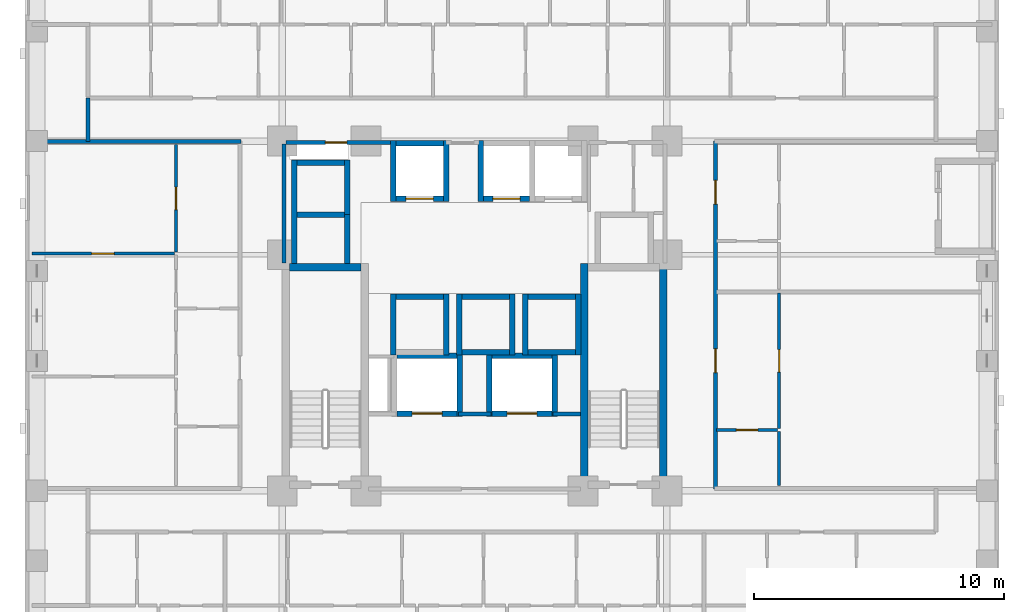
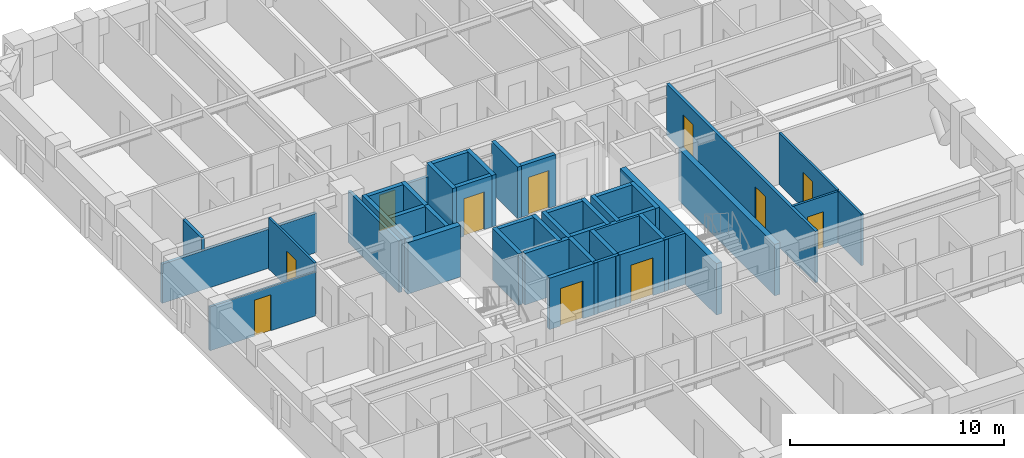
# One storey, part 5 of 14: 44 walls, 11 doors, 11 openings.
"""IFC4 building model written with IfcOpenShell, lengths in metres."""

from ifc_helpers import new_model, si_unit, derived_unit, direction, frame, frame_2d, origin, place, context, subcontext, project, spatial, rectangle, extrude, material, layer, layer_set, type_object, element, fill, save


model = new_model("IFC4")

# Units and contexts
model_context = context("Model", 3, precision=1e-05, world=origin(), true_north=direction((0.0, 1.0)))
body_context = subcontext(model_context, "Body", "Model", "MODEL_VIEW")
ifc_project = project(units=[si_unit("LENGTHUNIT", "METRE"), si_unit("AREAUNIT", "SQUARE_METRE"), si_unit("VOLUMEUNIT", "CUBIC_METRE"), si_unit("PLANEANGLEUNIT", "RADIAN"), si_unit("MASSUNIT", "GRAM", prefix="KILO"), derived_unit("THERMALTRANSMITTANCEUNIT", [(si_unit("MASSUNIT", "GRAM", prefix="KILO"), 1), (si_unit("TIMEUNIT", "SECOND"), -3), (si_unit("THERMODYNAMICTEMPERATUREUNIT", "KELVIN"), -1)])], contexts=[model_context])

# Site, building, storey
site_placement = place(None, origin())
site = spatial("IfcSite", under=ifc_project, at=site_placement, CompositionType="ELEMENT")
building_placement = place(site_placement, origin())
building = spatial("IfcBuilding", under=site, at=building_placement, Name="Korrvale Station Residences", CompositionType="ELEMENT")
storey_placement = place(building_placement, frame((0.0, 0.0, 51.39990234375)))
storey = spatial("IfcBuildingStorey", under=building, at=storey_placement, Name="L13", CompositionType="ELEMENT", Elevation=51.39990234375)

# Walls
ifc_material_1 = material(Name="Concrete C70/85", Category="concrete")
ifc_layer_1 = layer(ifc_material_1, 0.300048828125, Name="Concrete C70/85")
ifc_layer_set_1 = layer_set([ifc_layer_1], Name="Concrete C70/85")
wall_type_1 = type_object("IfcWallType", Name="WAL-CORE-300-C70", PredefinedType="SHEAR", material=ifc_layer_set_1)
wall_1_placement = place(storey_placement, frame((18.10009765625, 23.949951171875, 0.0), z_axis=(0.0, 0.0, 1.0), x_axis=(1.0, 0.0, 0.0)))
element("IfcWall", 1, at=wall_1_placement, inside=storey, type_object=wall_type_1, Name="L13 ST-1 Core Shear Wall North", PredefinedType="SHEAR", context=body_context, shape_type="SweptSolid", body=[
    extrude(rectangle(XDim=2.849853515625, YDim=0.300048828125, at=frame_2d((1.4248046875, 0.0))), origin(), (0.0, 0.0, 1.0), 2.940185546875),
])
for number, where, z_axis, x_axis, name in (
    (2, (29.89990234375, 15.10009765625, 0.0), (0.0, 0.0, 1.0), (0.0, 1.0, 0.0), "L13 ST-2 Core Shear Wall West"),
    (3, (33.050048828125, 15.10009765625, 0.0), (0.0, 0.0, 1.0), (0.0, 1.0, 0.0), "L13 ST-2 Core Shear Wall East"),
):
    element("IfcWall", number, at=place(storey_placement, frame(where, z_axis=z_axis, x_axis=x_axis)), inside=storey, type_object=wall_type_1, Name=name, PredefinedType="SHEAR", context=body_context, shape_type="SweptSolid", body=[
        extrude(rectangle(XDim=9.0, YDim=0.300048828125, at=frame_2d((4.5, 0.0))), origin(), (0.0, 0.0, 1.0), 2.940185546875),
    ])

# Wall, opening, door
ifc_material_2 = material(Name="Acoustic steel-stud gypsum board partition", Category="steel")
ifc_layer_2 = layer(ifc_material_2, 0.1201171875, Name="Acoustic steel-stud gypsum board partition")
ifc_layer_set_2 = layer_set([ifc_layer_2], Name="Acoustic steel-stud gypsum board partition")
wall_type_2 = type_object("IfcWallType", Name="WAL-PART-125", PredefinedType="PARTITIONING", material=ifc_layer_set_2)
wall_2_placement = place(storey_placement, frame((13.550048828125, 24.552001953125, 0.0), z_axis=(0.0, 0.0, 1.0), x_axis=(0.0, 1.0, 0.0)))
wall_2 = element("IfcWall", 4, at=wall_2_placement, inside=storey, type_object=wall_type_2, Name="L13 Suite Partition U06-V05", PredefinedType="PARTITIONING", context=body_context, shape_type="SweptSolid", body=[
    extrude(rectangle(XDim=4.30810546875, YDim=0.1201171875, at=frame_2d((2.154052734375, 0.0))), origin(), (0.0, 0.0, 1.0), 2.940185546875),
])
opening_1_placement = place(wall_2_placement, frame((1.7041015625, 0.0, 0.0)))
opening_1 = element("IfcOpeningElement", 5, at=opening_1_placement, cuts=wall_2, Name="Opening DI-900", PredefinedType="OPENING", context=body_context, shape_type="SweptSolid", body=[
    extrude(rectangle(XDim=0.89990234375, YDim=2.050048828125, at=frame_2d((0.449951171875, 1.02490234375))), frame((0.0, 0.070068359375, 0.0), z_axis=(0.0, -1.0, 0.0), x_axis=(1.0, 0.0, 0.0)), (0.0, 0.0, 1.0), 0.14013671875),
])
ifc_material_3 = material(Name="Painted solid-core timber interior room door", Category="wood")
door_type_1 = type_object("IfcDoorType", Name="DR-INT-900", OperationType="NOTDEFINED", PredefinedType="DOOR", material=ifc_material_3)
door_1_placement = place(opening_1_placement, origin())
door_1 = element("IfcDoor", 6, at=door_1_placement, inside=storey, type_object=door_type_1, Name="L13 Apartment 2BR L13-U06 Wardrobe Storage Room Door", OperationType="SINGLE_SWING_LEFT", OverallHeight=2.050048828125, OverallWidth=0.89990234375, PredefinedType="DOOR", context=body_context, shape_type="SweptSolid", body=[
    extrude(rectangle(XDim=0.89990234375, YDim=2.050048828125, at=frame_2d((0.449951171875, 1.02490234375))), frame((0.0, 0.02490234375, 0.0), z_axis=(0.0, -1.0, 0.0), x_axis=(1.0, 0.0, 0.0)), (0.0, 0.0, 1.0), 0.050048828125),
])
fill(opening_1, door_1)

wall_3_placement = place(storey_placement, frame((7.780029296875, 24.491943359375, 0.0), z_axis=(0.0, 0.0, 1.0), x_axis=(1.0, 0.0, 0.0)))
wall_3 = element("IfcWall", 7, at=wall_3_placement, inside=storey, type_object=wall_type_2, Name="L13 Suite Partition U06-H45", PredefinedType="PARTITIONING", context=body_context, shape_type="SweptSolid", body=[
    extrude(rectangle(XDim=5.7099609375, YDim=0.1201171875, at=frame_2d((2.85498046875, 0.0))), origin(), (0.0, 0.0, 1.0), 2.508056640625),
])
opening_2_placement = place(wall_3_placement, frame((2.389892578125, 0.0, 0.0)))
opening_2 = element("IfcOpeningElement", 8, at=opening_2_placement, cuts=wall_3, Name="Opening DI-900", PredefinedType="OPENING", context=body_context, shape_type="SweptSolid", body=[
    extrude(rectangle(XDim=0.89990234375, YDim=2.050048828125, at=frame_2d((0.449951171875, 1.02490234375))), frame((0.0, 0.070068359375, 0.0), z_axis=(0.0, -1.0, 0.0), x_axis=(1.0, 0.0, 0.0)), (0.0, 0.0, 1.0), 0.14013671875),
])
door_2_placement = place(opening_2_placement, origin())
door_2 = element("IfcDoor", 9, at=door_2_placement, inside=storey, type_object=door_type_1, Name="L13 Apartment 2BR L13-U06 Living and Dining Room Door", OperationType="SINGLE_SWING_RIGHT", OverallHeight=2.050048828125, OverallWidth=0.89990234375, PredefinedType="DOOR", context=body_context, shape_type="SweptSolid", body=[
    extrude(rectangle(XDim=0.89990234375, YDim=2.050048828125, at=frame_2d((0.449951171875, 1.02490234375))), frame((0.0, 0.02490234375, 0.0), z_axis=(0.0, -1.0, 0.0), x_axis=(1.0, 0.0, 0.0)), (0.0, 0.0, 1.0), 0.050048828125),
])
fill(opening_2, door_2)

wall_4_placement = place(storey_placement, frame((35.18994140625, 17.428955078125, 0.0), z_axis=(0.0, 0.0, 1.0), x_axis=(1.0, 0.0, 0.0)))
wall_4 = element("IfcWall", 10, at=wall_4_placement, inside=storey, type_object=wall_type_2, Name="L13 Suite Partition U07-H01", PredefinedType="PARTITIONING", context=body_context, shape_type="SweptSolid", body=[
    extrude(rectangle(XDim=2.449951171875, YDim=0.1201171875, at=frame_2d((1.22509765625, 0.0))), origin(), (0.0, 0.0, 1.0), 2.940185546875),
])
opening_3_placement = place(wall_4_placement, frame((0.794921875, 0.0, 0.0)))
opening_3 = element("IfcOpeningElement", 11, at=opening_3_placement, cuts=wall_4, Name="Opening DB-860", PredefinedType="OPENING", context=body_context, shape_type="SweptSolid", body=[
    extrude(rectangle(XDim=0.860107421875, YDim=2.050048828125, at=frame_2d((0.43017578125, 1.02490234375))), frame((0.0, 0.070068359375, 0.0), z_axis=(0.0, -1.0, 0.0), x_axis=(1.0, 0.0, 0.0)), (0.0, 0.0, 1.0), 0.14013671875),
])
ifc_material_4 = material(Name="Moisture-resistant solid-core bathroom door", Category="timber")
door_type_2 = type_object("IfcDoorType", Name="DR-BATH-860", OperationType="NOTDEFINED", PredefinedType="DOOR", material=ifc_material_4)
door_3_placement = place(opening_3_placement, origin())
door_3 = element("IfcDoor", 12, at=door_3_placement, inside=storey, type_object=door_type_2, Name="L13 Studio Apartment L13-U07 Bathroom Door", OperationType="SINGLE_SWING_LEFT", OverallHeight=2.050048828125, OverallWidth=0.860107421875, PredefinedType="DOOR", context=body_context, shape_type="SweptSolid", body=[
    extrude(rectangle(XDim=0.860107421875, YDim=2.050048828125, at=frame_2d((0.43017578125, 1.02490234375))), frame((0.0, 0.02490234375, 0.0), z_axis=(0.0, -1.0, 0.0), x_axis=(1.0, 0.0, 0.0)), (0.0, 0.0, 1.0), 0.050048828125),
])
fill(opening_3, door_3)

# Wall
wall_5_placement = place(storey_placement, frame((37.699951171875, 15.2099609375, 0.0), z_axis=(0.0, 0.0, 1.0), x_axis=(0.0, 1.0, 0.0)))
element("IfcWall", 13, at=wall_5_placement, inside=storey, type_object=wall_type_2, Name="L13 Suite Partition U07-V02", PredefinedType="PARTITIONING", context=body_context, shape_type="SweptSolid", body=[
    extrude(rectangle(XDim=2.158935546875, YDim=0.1201171875, at=frame_2d((1.07958984375, 0.0))), origin(), (0.0, 0.0, 1.0), 2.940185546875),
])

# Wall, opening, door
wall_6_placement = place(storey_placement, frame((37.699951171875, 17.489013671875, 0.0), z_axis=(0.0, 0.0, 1.0), x_axis=(0.0, 1.0, 0.0)))
wall_6 = element("IfcWall", 14, at=wall_6_placement, inside=storey, type_object=wall_type_2, Name="L13 Suite Partition U07-V12", PredefinedType="PARTITIONING", context=body_context, shape_type="SweptSolid", body=[
    extrude(rectangle(XDim=5.43310546875, YDim=0.1201171875, at=frame_2d((2.716552734375, 0.0))), origin(), (0.0, 0.0, 1.0), 2.940185546875),
])
opening_4_placement = place(wall_6_placement, frame((2.26611328125, 0.0, 0.0)))
opening_4 = element("IfcOpeningElement", 15, at=opening_4_placement, cuts=wall_6, Name="Opening DI-900", PredefinedType="OPENING", context=body_context, shape_type="SweptSolid", body=[
    extrude(rectangle(XDim=0.89990234375, YDim=2.050048828125, at=frame_2d((0.449951171875, 1.02490234375))), frame((0.0, 0.070068359375, 0.0), z_axis=(0.0, -1.0, 0.0), x_axis=(1.0, 0.0, 0.0)), (0.0, 0.0, 1.0), 0.14013671875),
])
door_4_placement = place(opening_4_placement, origin())
door_4 = element("IfcDoor", 16, at=door_4_placement, inside=storey, type_object=door_type_1, Name="L13 Studio Apartment L13-U07 Kitchen Door", OperationType="SINGLE_SWING_RIGHT", OverallHeight=2.050048828125, OverallWidth=0.89990234375, PredefinedType="DOOR", context=body_context, shape_type="SweptSolid", body=[
    extrude(rectangle(XDim=0.89990234375, YDim=2.050048828125, at=frame_2d((0.449951171875, 1.02490234375))), frame((0.0, 0.02490234375, 0.0), z_axis=(0.0, -1.0, 0.0), x_axis=(1.0, 0.0, 0.0)), (0.0, 0.0, 1.0), 0.050048828125),
])
fill(opening_4, door_4)

# Walls
ifc_material_5 = material(Name="Fire-rated twin-stud gypsum and mineral wool shaftwall assembly", Category="gypsum")
ifc_layer_3 = layer(ifc_material_5, 0.159912109375, Name="Fire-rated twin-stud gypsum and mineral wool shaftwall assembly")
ifc_layer_set_3 = layer_set([ifc_layer_3], Name="Fire-rated twin-stud gypsum and mineral wool shaftwall assembly")
wall_type_3 = type_object("IfcWallType", Name="WAL-PART-200", PredefinedType="PARTITIONING", material=ifc_layer_set_3)
wall_7_placement = place(storey_placement, frame((24.85009765625, 18.080078125, 0.0), z_axis=(0.0, 0.0, 1.0), x_axis=(1.0, 0.0, 0.0)))
element("IfcWall", 17, at=wall_7_placement, inside=storey, type_object=wall_type_3, Name="L13 Core Partition CW-FFL-N2", PredefinedType="PARTITIONING", context=body_context, shape_type="SweptSolid", body=[
    extrude(rectangle(XDim=1.2998046875, YDim=0.159912109375, at=frame_2d((0.64990234375, 0.0))), origin(), (0.0, 0.0, 1.0), 2.940185546875),
])
wall_8_placement = place(storey_placement, frame((28.64990234375, 18.080078125, 0.0), z_axis=(0.0, 0.0, 1.0), x_axis=(1.0, 0.0, 0.0)))
element("IfcWall", 18, at=wall_8_placement, inside=storey, type_object=wall_type_3, Name="L13 Core Partition CW-FFL-N3", PredefinedType="PARTITIONING", context=body_context, shape_type="SweptSolid", body=[
    extrude(rectangle(XDim=1.10009765625, YDim=0.159912109375, at=frame_2d((0.550048828125, 0.0))), origin(), (0.0, 0.0, 1.0), 2.940185546875),
])
wall_9_placement = place(storey_placement, frame((17.8798828125, 24.1201171875, 0.0), z_axis=(0.0, 0.0, 1.0), x_axis=(0.0, 1.0, 0.0)))
element("IfcWall", 19, at=wall_9_placement, inside=storey, type_object=wall_type_3, Name="L13 Core Partition CW-W-N", PredefinedType="PARTITIONING", context=body_context, shape_type="SweptSolid", body=[
    extrude(rectangle(XDim=4.759765625, YDim=0.159912109375, at=frame_2d((2.3798828125, 0.0))), origin(), (0.0, 0.0, 1.0), 2.940185546875),
])

# Wall, opening, door
wall_10_placement = place(storey_placement, frame((17.9599609375, 28.949951171875, 0.0), z_axis=(0.0, 0.0, 1.0), x_axis=(1.0, 0.0, 0.0)))
wall_10 = element("IfcWall", 20, at=wall_10_placement, inside=storey, type_object=wall_type_3, Name="L13 Core Partition CW-NW", PredefinedType="PARTITIONING", context=body_context, shape_type="SweptSolid", body=[
    extrude(rectangle(XDim=4.2900390625, YDim=0.159912109375, at=frame_2d((2.14501953125, 0.0))), origin(), (0.0, 0.0, 1.0), 2.232177734375),
])
opening_5_placement = place(wall_10_placement, frame((1.570068359375, 0.0, 0.0)))
opening_5 = element("IfcOpeningElement", 21, at=opening_5_placement, cuts=wall_10, Name="Opening DB-860", PredefinedType="OPENING", context=body_context, shape_type="SweptSolid", body=[
    extrude(rectangle(XDim=0.860107421875, YDim=2.050048828125, at=frame_2d((0.43017578125, 1.02490234375))), frame((0.0, 0.08984375, 0.0), z_axis=(0.0, -1.0, 0.0), x_axis=(1.0, 0.0, 0.0)), (0.0, 0.0, 1.0), 0.179931640625),
])
door_5_placement = place(opening_5_placement, origin())
door_5 = element("IfcDoor", 22, at=door_5_placement, inside=storey, type_object=door_type_2, Name="L13 Electrical Riser Access Door", OperationType="SINGLE_SWING_RIGHT", OverallHeight=2.050048828125, OverallWidth=0.860107421875, PredefinedType="DOOR", context=body_context, shape_type="SweptSolid", body=[
    extrude(rectangle(XDim=0.860107421875, YDim=2.050048828125, at=frame_2d((0.43017578125, 1.02490234375))), frame((0.0, 0.02490234375, 0.0), z_axis=(0.0, -1.0, 0.0), x_axis=(1.0, 0.0, 0.0)), (0.0, 0.0, 1.0), 0.050048828125),
])
fill(opening_5, door_5)

# Walls
wall_11_placement = place(storey_placement, frame((10.02001953125, 28.97998046875, 0.0), z_axis=(0.0, 0.0, 1.0), x_axis=(0.0, 1.0, 0.0)))
element("IfcWall", 23, at=wall_11_placement, inside=storey, type_object=wall_type_3, Name="L13 Corridor North West Cap", PredefinedType="PARTITIONING", context=body_context, shape_type="SweptSolid", body=[
    extrude(rectangle(XDim=1.739990234375, YDim=0.159912109375, at=frame_2d((0.8701171875, 0.0))), origin(), (0.0, 0.0, 1.0), 2.940185546875),
])
wall_12_placement = place(storey_placement, frame((7.780029296875, 28.97998046875, 0.0), z_axis=(0.0, 0.0, 1.0), x_axis=(1.0, 0.0, 0.0)))
element("IfcWall", 24, at=wall_12_placement, inside=storey, type_object=wall_type_3, Name="L13 West Wing North Corridor Wall", PredefinedType="PARTITIONING", context=body_context, shape_type="SweptSolid", body=[
    extrude(rectangle(XDim=8.35986328125, YDim=0.159912109375, at=frame_2d((4.179931640625, 0.0))), origin(), (0.0, 0.0, 1.0), 2.232177734375),
])

# Wall, openings, doors
wall_13_placement = place(storey_placement, frame((35.14990234375, 15.070068359375, 0.0), z_axis=(0.0, 0.0, 1.0), x_axis=(0.0, 1.0, 0.0)))
wall_13 = element("IfcWall", 25, at=wall_13_placement, inside=storey, type_object=wall_type_3, Name="L13 Rated Corridor Wall E", PredefinedType="PARTITIONING", context=body_context, shape_type="SweptSolid", body=[
    extrude(rectangle(XDim=13.929931640625, YDim=0.159912109375, at=frame_2d((6.96484375, 0.0))), origin(), (0.0, 0.0, 1.0), 2.940185546875),
])
opening_6_placement = place(wall_13_placement, frame((4.660888671875, 0.0, 0.0)))
opening_6 = element("IfcOpeningElement", 26, at=opening_6_placement, cuts=wall_13, Name="Opening UD-950", PredefinedType="OPENING", context=body_context, shape_type="SweptSolid", body=[
    extrude(rectangle(XDim=0.949951171875, YDim=2.10009765625, at=frame_2d((0.47509765625, 1.050048828125))), frame((0.0, 0.08984375, 0.0), z_axis=(0.0, -1.0, 0.0), x_axis=(1.0, 0.0, 0.0)), (0.0, 0.0, 1.0), 0.179931640625),
])
opening_7_placement = place(wall_13_placement, frame((11.410888671875, 0.0, 0.0)))
opening_7 = element("IfcOpeningElement", 27, at=opening_7_placement, cuts=wall_13, Name="Opening UD-950", PredefinedType="OPENING", context=body_context, shape_type="SweptSolid", body=[
    extrude(rectangle(XDim=0.949951171875, YDim=2.10009765625, at=frame_2d((0.47509765625, 1.050048828125))), frame((0.0, 0.08984375, 0.0), z_axis=(0.0, -1.0, 0.0), x_axis=(1.0, 0.0, 0.0)), (0.0, 0.0, 1.0), 0.179931640625),
])
ifc_material_6 = material(Name="Solid-core acoustic oak apartment entrance door", Category="timber")
door_type_3 = type_object("IfcDoorType", Name="DR-UNIT-950", OperationType="NOTDEFINED", PredefinedType="DOOR", material=ifc_material_6)
door_6_placement = place(opening_6_placement, origin())
door_6 = element("IfcDoor", 28, at=door_6_placement, inside=storey, type_object=door_type_3, Name="L13 Apartment L13-U07 Entrance Door", OperationType="SINGLE_SWING_LEFT", OverallHeight=2.10009765625, OverallWidth=0.949951171875, PredefinedType="DOOR", context=body_context, shape_type="SweptSolid", body=[
    extrude(rectangle(XDim=0.949951171875, YDim=2.10009765625, at=frame_2d((0.47509765625, 1.050048828125))), frame((0.0, 0.02490234375, 0.0), z_axis=(0.0, -1.0, 0.0), x_axis=(1.0, 0.0, 0.0)), (0.0, 0.0, 1.0), 0.050048828125),
])
fill(opening_6, door_6)
door_7_placement = place(opening_7_placement, origin())
door_7 = element("IfcDoor", 29, at=door_7_placement, inside=storey, type_object=door_type_3, Name="L13 Apartment L13-U08 Entrance Door", OperationType="SINGLE_SWING_RIGHT", OverallHeight=2.10009765625, OverallWidth=0.949951171875, PredefinedType="DOOR", context=body_context, shape_type="SweptSolid", body=[
    extrude(rectangle(XDim=0.949951171875, YDim=2.10009765625, at=frame_2d((0.47509765625, 1.050048828125))), frame((0.0, 0.02490234375, 0.0), z_axis=(0.0, -1.0, 0.0), x_axis=(1.0, 0.0, 0.0)), (0.0, 0.0, 1.0), 0.050048828125),
])
fill(opening_7, door_7)

# Wall, opening, door
ifc_layer_4 = layer(ifc_material_1, 0.219970703125, Name="Concrete C70/85")
ifc_layer_set_4 = layer_set([ifc_layer_4], Name="Concrete C70/85")
wall_type_4 = type_object("IfcWallType", Name="WAL-SHAFT-220-C70", PredefinedType="SHEAR", material=ifc_layer_set_4)
wall_14_placement = place(storey_placement, frame((22.35009765625, 26.68994140625, 0.0), z_axis=(0.0, 0.0, 1.0), x_axis=(1.0, 0.0, 0.0)))
wall_14 = element("IfcWall", 30, at=wall_14_placement, inside=storey, type_object=wall_type_4, Name="L13 Elevator PL-1 Hoistway Wall South", PredefinedType="SHEAR", context=body_context, shape_type="SweptSolid", body=[
    extrude(rectangle(XDim=1.89990234375, YDim=0.219970703125, at=frame_2d((0.949951171875, 0.0))), origin(), (0.0, 0.0, 1.0), 2.940185546875),
])
opening_8_placement = place(wall_14_placement, frame((0.39990234375, 0.0, 0.0)))
opening_8 = element("IfcOpeningElement", 31, at=opening_8_placement, cuts=wall_14, Name="Opening LD-1100", PredefinedType="OPENING", context=body_context, shape_type="SweptSolid", body=[
    extrude(rectangle(XDim=1.10009765625, YDim=2.14990234375, at=frame_2d((0.550048828125, 1.074951171875))), frame((0.0, 0.1201171875, 0.0), z_axis=(0.0, -1.0, 0.0), x_axis=(1.0, 0.0, 0.0)), (0.0, 0.0, 1.0), 0.239990234375),
])
ifc_material_7 = material(Name="Brushed stainless-steel elevator landing sliding door", Category="steel")
door_type_4 = type_object("IfcDoorType", Name="DR-LIFT-1100", OperationType="SLIDING_TO_LEFT", PredefinedType="DOOR", material=ifc_material_7)
door_8_placement = place(opening_8_placement, origin())
door_8 = element("IfcDoor", 32, at=door_8_placement, inside=storey, type_object=door_type_4, Name="L13 Elevator PL-1 Sliding Landing Door", OperationType="SLIDING_TO_LEFT", OverallHeight=2.14990234375, OverallWidth=1.10009765625, PredefinedType="DOOR", context=body_context, shape_type="SweptSolid", body=[
    extrude(rectangle(XDim=1.10009765625, YDim=2.14990234375, at=frame_2d((0.550048828125, 1.074951171875))), frame((0.0, 0.02490234375, 0.0), z_axis=(0.0, -1.0, 0.0), x_axis=(1.0, 0.0, 0.0)), (0.0, 0.0, 1.0), 0.050048828125),
])
fill(opening_8, door_8)

# Walls
wall_15_placement = place(storey_placement, frame((22.35009765625, 28.909912109375, 0.0), z_axis=(0.0, 0.0, 1.0), x_axis=(1.0, 0.0, 0.0)))
element("IfcWall", 33, at=wall_15_placement, inside=storey, type_object=wall_type_4, Name="L13 Elevator PL-1 Hoistway Wall North", PredefinedType="SHEAR", context=body_context, shape_type="SweptSolid", body=[
    extrude(rectangle(XDim=1.89990234375, YDim=0.219970703125, at=frame_2d((0.949951171875, 0.0))), origin(), (0.0, 0.0, 1.0), 2.940185546875),
])
for number, where, z_axis, x_axis, name in (
    (34, (22.239990234375, 26.580078125, 0.0), (0.0, 0.0, 1.0), (0.0, 1.0, 0.0), "L13 Elevator PL-1 Hoistway Wall West"),
    (35, (24.360107421875, 26.580078125, 0.0), (0.0, 0.0, 1.0), (0.0, 1.0, 0.0), "L13 Elevator PL-1 Hoistway Wall East"),
):
    element("IfcWall", number, at=place(storey_placement, frame(where, z_axis=z_axis, x_axis=x_axis)), inside=storey, type_object=wall_type_4, Name=name, PredefinedType="SHEAR", context=body_context, shape_type="SweptSolid", body=[
        extrude(rectangle(XDim=2.43994140625, YDim=0.219970703125, at=frame_2d((1.219970703125, 0.0))), origin(), (0.0, 0.0, 1.0), 2.940185546875),
    ])

# Wall, opening, door
wall_16_placement = place(storey_placement, frame((25.85009765625, 26.68994140625, 0.0), z_axis=(0.0, 0.0, 1.0), x_axis=(1.0, 0.0, 0.0)))
wall_16 = element("IfcWall", 36, at=wall_16_placement, inside=storey, type_object=wall_type_4, Name="L13 Elevator PL-2 Hoistway Wall South", PredefinedType="SHEAR", context=body_context, shape_type="SweptSolid", body=[
    extrude(rectangle(XDim=1.85986328125, YDim=0.219970703125, at=frame_2d((0.929931640625, 0.0))), origin(), (0.0, 0.0, 1.0), 2.940185546875),
])
opening_9_placement = place(wall_16_placement, frame((0.3798828125, 0.0, 0.0)))
opening_9 = element("IfcOpeningElement", 37, at=opening_9_placement, cuts=wall_16, Name="Opening LD-1100", PredefinedType="OPENING", context=body_context, shape_type="SweptSolid", body=[
    extrude(rectangle(XDim=1.10009765625, YDim=2.14990234375, at=frame_2d((0.550048828125, 1.074951171875))), frame((0.0, 0.1201171875, 0.0), z_axis=(0.0, -1.0, 0.0), x_axis=(1.0, 0.0, 0.0)), (0.0, 0.0, 1.0), 0.239990234375),
])
door_9_placement = place(opening_9_placement, origin())
door_9 = element("IfcDoor", 38, at=door_9_placement, inside=storey, type_object=door_type_4, Name="L13 Elevator PL-2 Sliding Landing Door", OperationType="SLIDING_TO_LEFT", OverallHeight=2.14990234375, OverallWidth=1.10009765625, PredefinedType="DOOR", context=body_context, shape_type="SweptSolid", body=[
    extrude(rectangle(XDim=1.10009765625, YDim=2.14990234375, at=frame_2d((0.550048828125, 1.074951171875))), frame((0.0, 0.02490234375, 0.0), z_axis=(0.0, -1.0, 0.0), x_axis=(1.0, 0.0, 0.0)), (0.0, 0.0, 1.0), 0.050048828125),
])
fill(opening_9, door_9)

# Walls
wall_17_placement = place(storey_placement, frame((25.739990234375, 26.580078125, 0.0), z_axis=(0.0, 0.0, 1.0), x_axis=(0.0, 1.0, 0.0)))
element("IfcWall", 39, at=wall_17_placement, inside=storey, type_object=wall_type_4, Name="L13 Elevator PL-2 Hoistway Wall West", PredefinedType="SHEAR", context=body_context, shape_type="SweptSolid", body=[
    extrude(rectangle(XDim=2.43994140625, YDim=0.219970703125, at=frame_2d((1.219970703125, 0.0))), origin(), (0.0, 0.0, 1.0), 2.940185546875),
])
wall_18_placement = place(storey_placement, frame((22.35009765625, 22.760009765625, 0.0), z_axis=(0.0, 0.0, 1.0), x_axis=(1.0, 0.0, 0.0)))
element("IfcWall", 40, at=wall_18_placement, inside=storey, type_object=wall_type_4, Name="L13 Elevator PM-1 Hoistway Wall North", PredefinedType="SHEAR", context=body_context, shape_type="SweptSolid", body=[
    extrude(rectangle(XDim=1.89990234375, YDim=0.219970703125, at=frame_2d((0.949951171875, 0.0))), origin(), (0.0, 0.0, 1.0), 2.940185546875),
])
for number, where, z_axis, x_axis, name in (
    (41, (22.239990234375, 20.429931640625, 0.0), (0.0, 0.0, 1.0), (0.0, 1.0, 0.0), "L13 Elevator PM-1 Hoistway Wall West"),
    (42, (24.360107421875, 20.429931640625, 0.0), (0.0, 0.0, 1.0), (0.0, 1.0, 0.0), "L13 Elevator PM-1 Hoistway Wall East"),
):
    element("IfcWall", number, at=place(storey_placement, frame(where, z_axis=z_axis, x_axis=x_axis)), inside=storey, type_object=wall_type_4, Name=name, PredefinedType="SHEAR", context=body_context, shape_type="SweptSolid", body=[
        extrude(rectangle(XDim=2.440185546875, YDim=0.219970703125, at=frame_2d((1.22021484375, 0.0))), origin(), (0.0, 0.0, 1.0), 2.940185546875),
    ])
for number, where, z_axis, x_axis, name in (
    (43, (25.0, 20.5400390625, 0.0), (0.0, 0.0, 1.0), (1.0, 0.0, 0.0), "L13 Elevator PM-2 Hoistway Wall South"),
    (44, (25.0, 22.760009765625, 0.0), (0.0, 0.0, 1.0), (1.0, 0.0, 0.0), "L13 Elevator PM-2 Hoistway Wall North"),
):
    element("IfcWall", number, at=place(storey_placement, frame(where, z_axis=z_axis, x_axis=x_axis)), inside=storey, type_object=wall_type_4, Name=name, PredefinedType="SHEAR", context=body_context, shape_type="SweptSolid", body=[
        extrude(rectangle(XDim=1.89990234375, YDim=0.219970703125, at=frame_2d((0.949951171875, 0.0))), origin(), (0.0, 0.0, 1.0), 2.940185546875),
    ])
for number, where, z_axis, x_axis, name in (
    (45, (24.889892578125, 20.429931640625, 0.0), (0.0, 0.0, 1.0), (0.0, 1.0, 0.0), "L13 Elevator PM-2 Hoistway Wall West"),
    (46, (27.010009765625, 20.429931640625, 0.0), (0.0, 0.0, 1.0), (0.0, 1.0, 0.0), "L13 Elevator PM-2 Hoistway Wall East"),
):
    element("IfcWall", number, at=place(storey_placement, frame(where, z_axis=z_axis, x_axis=x_axis)), inside=storey, type_object=wall_type_4, Name=name, PredefinedType="SHEAR", context=body_context, shape_type="SweptSolid", body=[
        extrude(rectangle(XDim=2.440185546875, YDim=0.219970703125, at=frame_2d((1.22021484375, 0.0))), origin(), (0.0, 0.0, 1.0), 2.940185546875),
    ])
for number, where, z_axis, x_axis, name in (
    (47, (27.64990234375, 20.5400390625, 0.0), (0.0, 0.0, 1.0), (1.0, 0.0, 0.0), "L13 Elevator PM-3 Hoistway Wall South"),
    (48, (27.64990234375, 22.760009765625, 0.0), (0.0, 0.0, 1.0), (1.0, 0.0, 0.0), "L13 Elevator PM-3 Hoistway Wall North"),
):
    element("IfcWall", number, at=place(storey_placement, frame(where, z_axis=z_axis, x_axis=x_axis)), inside=storey, type_object=wall_type_4, Name=name, PredefinedType="SHEAR", context=body_context, shape_type="SweptSolid", body=[
        extrude(rectangle(XDim=1.900146484375, YDim=0.219970703125, at=frame_2d((0.9501953125, 0.0))), origin(), (0.0, 0.0, 1.0), 2.940185546875),
    ])
for number, where, z_axis, x_axis, name in (
    (49, (27.5400390625, 20.429931640625, 0.0), (0.0, 0.0, 1.0), (0.0, 1.0, 0.0), "L13 Elevator PM-3 Hoistway Wall West"),
    (50, (29.659912109375, 20.429931640625, 0.0), (0.0, 0.0, 1.0), (0.0, 1.0, 0.0), "L13 Elevator PM-3 Hoistway Wall East"),
):
    element("IfcWall", number, at=place(storey_placement, frame(where, z_axis=z_axis, x_axis=x_axis)), inside=storey, type_object=wall_type_4, Name=name, PredefinedType="SHEAR", context=body_context, shape_type="SweptSolid", body=[
        extrude(rectangle(XDim=2.440185546875, YDim=0.219970703125, at=frame_2d((1.22021484375, 0.0))), origin(), (0.0, 0.0, 1.0), 2.940185546875),
    ])
wall_19_placement = place(storey_placement, frame((18.2900390625, 24.10009765625, 0.0), z_axis=(0.0, 0.0, 1.0), x_axis=(0.0, 1.0, 0.0)))
element("IfcWall", 51, at=wall_19_placement, inside=storey, type_object=wall_type_4, Name="L13 Elevator PH-1 Hoistway Wall West", PredefinedType="SHEAR", context=body_context, shape_type="SweptSolid", body=[
    extrude(rectangle(XDim=4.139892578125, YDim=0.219970703125, at=frame_2d((2.06982421875, 0.0))), origin(), (0.0, 0.0, 1.0), 2.940185546875),
])
wall_20_placement = place(storey_placement, frame((20.409912109375, 24.10009765625, 0.0), z_axis=(0.0, 0.0, 1.0), x_axis=(0.0, 1.0, 0.0)))
element("IfcWall", 52, at=wall_20_placement, inside=storey, type_object=wall_type_4, Name="L13 Elevator PH-1 Hoistway Wall East", PredefinedType="SHEAR", context=body_context, shape_type="SweptSolid", body=[
    extrude(rectangle(XDim=1.9599609375, YDim=0.219970703125, at=frame_2d((0.97998046875, 0.0))), origin(), (0.0, 0.0, 1.0), 2.940185546875),
])
for number, where, z_axis, x_axis, name in (
    (53, (18.39990234375, 26.06005859375, 0.0), (0.0, 0.0, 1.0), (1.0, 0.0, 0.0), "L13 Elevator PH-2 Hoistway Wall South"),
    (54, (18.39990234375, 28.1298828125, 0.0), (0.0, 0.0, 1.0), (1.0, 0.0, 0.0), "L13 Elevator PH-2 Hoistway Wall North"),
):
    element("IfcWall", number, at=place(storey_placement, frame(where, z_axis=z_axis, x_axis=x_axis)), inside=storey, type_object=wall_type_4, Name=name, PredefinedType="SHEAR", context=body_context, shape_type="SweptSolid", body=[
        extrude(rectangle(XDim=1.900146484375, YDim=0.219970703125, at=frame_2d((0.9501953125, 0.0))), origin(), (0.0, 0.0, 1.0), 2.940185546875),
    ])
wall_21_placement = place(storey_placement, frame((20.409912109375, 26.06005859375, 0.0), z_axis=(0.0, 0.0, 1.0), x_axis=(0.0, 1.0, 0.0)))
element("IfcWall", 55, at=wall_21_placement, inside=storey, type_object=wall_type_4, Name="L13 Elevator PH-2 Hoistway Wall East", PredefinedType="SHEAR", context=body_context, shape_type="SweptSolid", body=[
    extrude(rectangle(XDim=2.179931640625, YDim=0.219970703125, at=frame_2d((1.08984375, 0.0))), origin(), (0.0, 0.0, 1.0), 2.940185546875),
])

# Wall, opening, door
wall_22_placement = place(storey_placement, frame((22.39990234375, 18.090087890625, 0.0), z_axis=(0.0, 0.0, 1.0), x_axis=(1.0, 0.0, 0.0)))
wall_22 = element("IfcWall", 56, at=wall_22_placement, inside=storey, type_object=wall_type_4, Name="L13 Elevator FFL-1 Hoistway Wall South", PredefinedType="SHEAR", context=body_context, shape_type="SweptSolid", body=[
    extrude(rectangle(XDim=2.400146484375, YDim=0.219970703125, at=frame_2d((1.2001953125, 0.0))), origin(), (0.0, 0.0, 1.0), 2.940185546875),
])
opening_10_placement = place(wall_22_placement, frame((0.60009765625, 0.0, 0.0)))
opening_10 = element("IfcOpeningElement", 57, at=opening_10_placement, cuts=wall_22, Name="Opening LD-FF1200", PredefinedType="OPENING", context=body_context, shape_type="SweptSolid", body=[
    extrude(rectangle(XDim=1.199951171875, YDim=2.14990234375, at=frame_2d((0.60009765625, 1.074951171875))), frame((0.0, 0.1201171875, 0.0), z_axis=(0.0, -1.0, 0.0), x_axis=(1.0, 0.0, 0.0)), (0.0, 0.0, 1.0), 0.239990234375),
])
ifc_material_8 = material(Name="Stainless-steel firefighter elevator landing sliding door", Category="steel")
door_type_5 = type_object("IfcDoorType", Name="DR-LIFT-FF1200", OperationType="SLIDING_TO_LEFT", PredefinedType="DOOR", material=ifc_material_8)
door_10_placement = place(opening_10_placement, origin())
door_10 = element("IfcDoor", 58, at=door_10_placement, inside=storey, type_object=door_type_5, Name="L13 Elevator FFL-1 Sliding Landing Door", OperationType="SLIDING_TO_LEFT", OverallHeight=2.14990234375, OverallWidth=1.199951171875, PredefinedType="DOOR", context=body_context, shape_type="SweptSolid", body=[
    extrude(rectangle(XDim=1.199951171875, YDim=2.14990234375, at=frame_2d((0.60009765625, 1.074951171875))), frame((0.0, 0.02490234375, 0.0), z_axis=(0.0, -1.0, 0.0), x_axis=(1.0, 0.0, 0.0)), (0.0, 0.0, 1.0), 0.050048828125),
])
fill(opening_10, door_10)

# Walls
wall_23_placement = place(storey_placement, frame((22.39990234375, 20.409912109375, 0.0), z_axis=(0.0, 0.0, 1.0), x_axis=(1.0, 0.0, 0.0)))
element("IfcWall", 59, at=wall_23_placement, inside=storey, type_object=wall_type_4, Name="L13 Elevator FFL-1 Hoistway Wall North", PredefinedType="SHEAR", context=body_context, shape_type="SweptSolid", body=[
    extrude(rectangle(XDim=2.400146484375, YDim=0.219970703125, at=frame_2d((1.2001953125, 0.0))), origin(), (0.0, 0.0, 1.0), 2.940185546875),
])
wall_24_placement = place(storey_placement, frame((24.909912109375, 17.97998046875, 0.0), z_axis=(0.0, 0.0, 1.0), x_axis=(0.0, 1.0, 0.0)))
element("IfcWall", 60, at=wall_24_placement, inside=storey, type_object=wall_type_4, Name="L13 Elevator FFL-1 Hoistway Wall East", PredefinedType="SHEAR", context=body_context, shape_type="SweptSolid", body=[
    extrude(rectangle(XDim=2.5400390625, YDim=0.219970703125, at=frame_2d((1.27001953125, 0.0))), origin(), (0.0, 0.0, 1.0), 2.940185546875),
])

# Wall, opening, door
wall_25_placement = place(storey_placement, frame((26.199951171875, 18.090087890625, 0.0), z_axis=(0.0, 0.0, 1.0), x_axis=(1.0, 0.0, 0.0)))
wall_25 = element("IfcWall", 61, at=wall_25_placement, inside=storey, type_object=wall_type_4, Name="L13 Elevator FFL-2 Hoistway Wall South", PredefinedType="SHEAR", context=body_context, shape_type="SweptSolid", body=[
    extrude(rectangle(XDim=2.400146484375, YDim=0.219970703125, at=frame_2d((1.2001953125, 0.0))), origin(), (0.0, 0.0, 1.0), 2.940185546875),
])
opening_11_placement = place(wall_25_placement, frame((0.60009765625, 0.0, 0.0)))
opening_11 = element("IfcOpeningElement", 62, at=opening_11_placement, cuts=wall_25, Name="Opening LD-FF1200", PredefinedType="OPENING", context=body_context, shape_type="SweptSolid", body=[
    extrude(rectangle(XDim=1.199951171875, YDim=2.14990234375, at=frame_2d((0.60009765625, 1.074951171875))), frame((0.0, 0.1201171875, 0.0), z_axis=(0.0, -1.0, 0.0), x_axis=(1.0, 0.0, 0.0)), (0.0, 0.0, 1.0), 0.239990234375),
])
door_11_placement = place(opening_11_placement, origin())
door_11 = element("IfcDoor", 63, at=door_11_placement, inside=storey, type_object=door_type_5, Name="L13 Elevator FFL-2 Sliding Landing Door", OperationType="SLIDING_TO_LEFT", OverallHeight=2.14990234375, OverallWidth=1.199951171875, PredefinedType="DOOR", context=body_context, shape_type="SweptSolid", body=[
    extrude(rectangle(XDim=1.199951171875, YDim=2.14990234375, at=frame_2d((0.60009765625, 1.074951171875))), frame((0.0, 0.02490234375, 0.0), z_axis=(0.0, -1.0, 0.0), x_axis=(1.0, 0.0, 0.0)), (0.0, 0.0, 1.0), 0.050048828125),
])
fill(opening_11, door_11)

# Walls
wall_26_placement = place(storey_placement, frame((26.199951171875, 20.409912109375, 0.0), z_axis=(0.0, 0.0, 1.0), x_axis=(1.0, 0.0, 0.0)))
element("IfcWall", 64, at=wall_26_placement, inside=storey, type_object=wall_type_4, Name="L13 Elevator FFL-2 Hoistway Wall North", PredefinedType="SHEAR", context=body_context, shape_type="SweptSolid", body=[
    extrude(rectangle(XDim=2.400146484375, YDim=0.219970703125, at=frame_2d((1.2001953125, 0.0))), origin(), (0.0, 0.0, 1.0), 2.940185546875),
])
for number, where, z_axis, x_axis, name in (
    (65, (26.090087890625, 17.97998046875, 0.0), (0.0, 0.0, 1.0), (0.0, 1.0, 0.0), "L13 Elevator FFL-2 Hoistway Wall West"),
    (66, (28.7099609375, 17.97998046875, 0.0), (0.0, 0.0, 1.0), (0.0, 1.0, 0.0), "L13 Elevator FFL-2 Hoistway Wall East"),
):
    element("IfcWall", number, at=place(storey_placement, frame(where, z_axis=z_axis, x_axis=x_axis)), inside=storey, type_object=wall_type_4, Name=name, PredefinedType="SHEAR", context=body_context, shape_type="SweptSolid", body=[
        extrude(rectangle(XDim=2.5400390625, YDim=0.219970703125, at=frame_2d((1.27001953125, 0.0))), origin(), (0.0, 0.0, 1.0), 2.940185546875),
    ])

save(model, "model.ifc")
